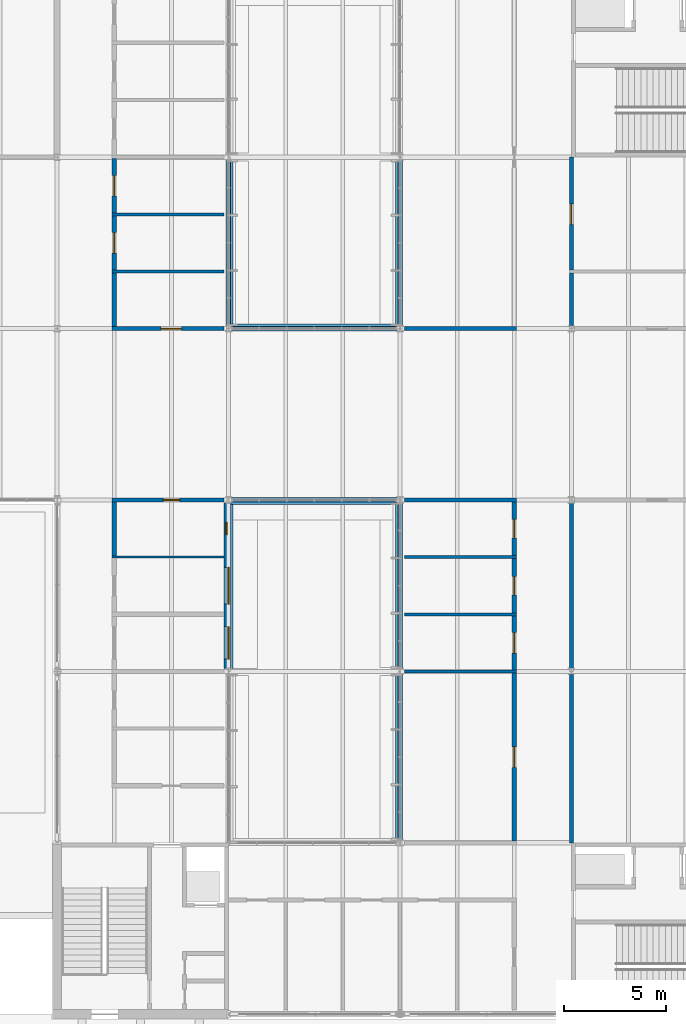
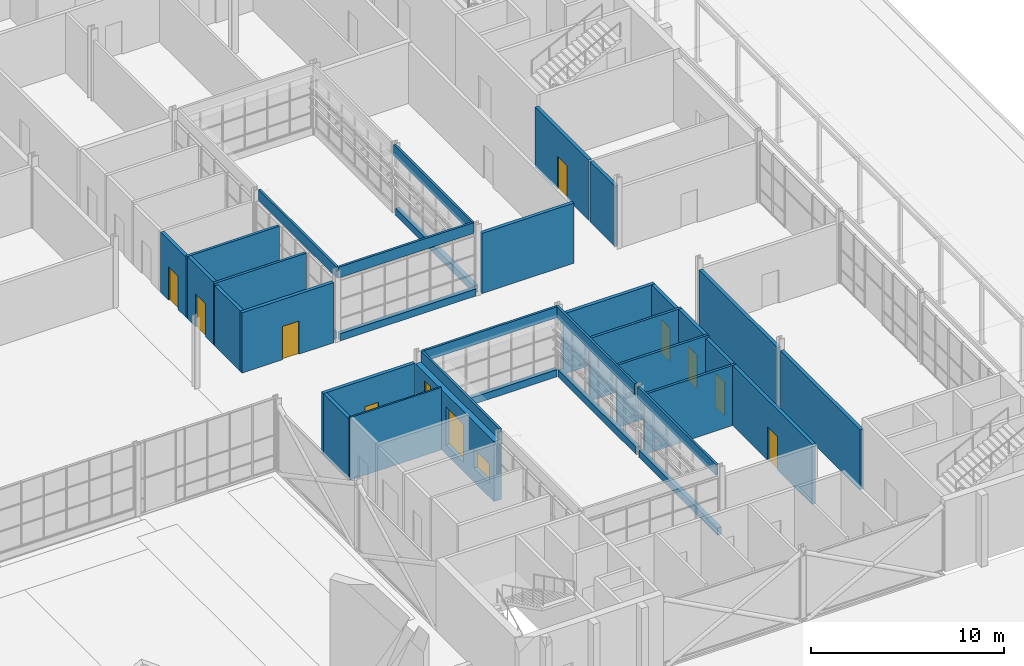
# One storey, part 89 of 116: 36 walls, 9 doors, 3 windows, 12 openings.
"""IFC4 building model written with IfcOpenShell, lengths in metres."""

from ifc_helpers import new_model, si_unit, direction, frame, frame_2d, origin, place, context, subcontext, project, spatial, rectangle, extrude, material, layer, layer_set, type_object, element, fill, save


model = new_model("IFC4")

# Units and contexts
model_context = context("Model", 3, precision=1e-05, world=origin(), true_north=direction((0.0, 1.0)))
body_context = subcontext(model_context, "Body", "Model", "MODEL_VIEW")
ifc_project = project(units=[si_unit("LENGTHUNIT", "METRE"), si_unit("AREAUNIT", "SQUARE_METRE"), si_unit("VOLUMEUNIT", "CUBIC_METRE"), si_unit("PLANEANGLEUNIT", "RADIAN"), si_unit("MASSUNIT", "GRAM", prefix="KILO")], contexts=[model_context])

# Site, building, storey
site_placement = place(None, origin())
site = spatial("IfcSite", under=ifc_project, at=site_placement, CompositionType="ELEMENT")
building_placement = place(site_placement, origin())
building = spatial("IfcBuilding", under=site, at=building_placement, Name="Ardhachandra Cancer Care Centre", CompositionType="ELEMENT")
storey_placement = place(building_placement, origin())
storey = spatial("IfcBuildingStorey", under=building, at=storey_placement, Name="L00", CompositionType="ELEMENT", Elevation=0.0)

# Walls
ifc_material_1 = material(Name="Precast Concrete M30 fascia panel with granite bands", Category="masonry")
ifc_layer_1 = layer(ifc_material_1, 0.1298828125)
ifc_layer_set_1 = layer_set([ifc_layer_1], Name="Precast Concrete M30 fascia panel with granite bands")
wall_type_1 = type_object("IfcWallType", Name="Banded edge beam fascia 130", PredefinedType="SOLIDWALL", material=ifc_layer_set_1)
wall_1_placement = place(storey_placement, frame((120.159912109375, 46.35009765625, 3.820068359375), z_axis=(0.0, 0.0, 1.0), x_axis=(0.0, 1.0, 0.0)))
element("IfcWall", 1, at=wall_1_placement, inside=storey, type_object=wall_type_1, Name="E/fascia/L00/e/0120000_0046200", PredefinedType="SOLIDWALL", context=body_context, shape_type="SweptSolid", body=[
    extrude(rectangle(XDim=8.099853515625, YDim=0.1298828125, at=frame_2d((4.0498046875, 0.0))), origin(), (0.0, 0.0, 1.0), 0.679931640625),
])
for number, where, z_axis, x_axis, name in (
    (2, (120.159912109375, 63.14990234375, 3.820068359375), (0.0, 0.0, 1.0), (0.0, 1.0, 0.0), "E/fascia/L00/e/0120000_0063000"),
    (3, (120.14990234375, 63.159912109375, 3.820068359375), (0.0, 0.0, 1.0), (1.0, 0.0, 0.0), "E/fascia/L00/n/0120000_0063000"),
    (4, (120.14990234375, 54.43994140625, 3.820068359375), (0.0, 0.0, 1.0), (1.0, 0.0, 0.0), "E/fascia/L00/s/0120000_0054600"),
    (5, (128.239990234375, 37.949951171875, 3.820068359375), (0.0, 0.0, 1.0), (0.0, 1.0, 0.0), "E/fascia/L00/w/0128400_0037800"),
):
    element("IfcWall", number, at=place(storey_placement, frame(where, z_axis=z_axis, x_axis=x_axis)), inside=storey, type_object=wall_type_1, Name=name, PredefinedType="SOLIDWALL", context=body_context, shape_type="SweptSolid", body=[
        extrude(rectangle(XDim=8.10009765625, YDim=0.1298828125, at=frame_2d((4.050048828125, 0.0))), origin(), (0.0, 0.0, 1.0), 0.679931640625),
    ])
wall_2_placement = place(storey_placement, frame((128.239990234375, 46.35009765625, 3.820068359375), z_axis=(0.0, 0.0, 1.0), x_axis=(0.0, 1.0, 0.0)))
element("IfcWall", 6, at=wall_2_placement, inside=storey, type_object=wall_type_1, Name="E/fascia/L00/w/0128400_0046200", PredefinedType="SOLIDWALL", context=body_context, shape_type="SweptSolid", body=[
    extrude(rectangle(XDim=8.099853515625, YDim=0.1298828125, at=frame_2d((4.0498046875, 0.0))), origin(), (0.0, 0.0, 1.0), 0.679931640625),
])
wall_3_placement = place(storey_placement, frame((128.239990234375, 63.14990234375, 3.820068359375), z_axis=(0.0, 0.0, 1.0), x_axis=(0.0, 1.0, 0.0)))
element("IfcWall", 7, at=wall_3_placement, inside=storey, type_object=wall_type_1, Name="E/fascia/L00/w/0128400_0063000", PredefinedType="SOLIDWALL", context=body_context, shape_type="SweptSolid", body=[
    extrude(rectangle(XDim=8.10009765625, YDim=0.1298828125, at=frame_2d((4.050048828125, 0.0))), origin(), (0.0, 0.0, 1.0), 0.679931640625),
])

# Wall, openings, windows
ifc_material_2 = material(Name="Brick masonry (clay brick, cement mortar) with mineral wool cavity insulation", Category="masonry")
ifc_layer_2 = layer(ifc_material_2, 0.449951171875)
ifc_layer_set_2 = layer_set([ifc_layer_2], Name="Brick masonry (clay brick, cement mortar) with mineral wool cavity insulation")
wall_type_2 = type_object("IfcWallType", Name="Brick wall 450", PredefinedType="SOLIDWALL", material=ifc_layer_set_2)
wall_4_placement = place(storey_placement, frame((120.0, 46.35009765625, 0.0), z_axis=(0.0, 0.0, 1.0), x_axis=(0.0, 1.0, 0.0)))
wall_4 = element("IfcWall", 8, at=wall_4_placement, inside=storey, type_object=wall_type_2, Name="E/wall/L00/e/0120000_0046200", PredefinedType="SOLIDWALL", context=body_context, shape_type="SweptSolid", body=[
    extrude(rectangle(XDim=8.099853515625, YDim=0.449951171875, at=frame_2d((4.0498046875, 0.0))), origin(), (0.0, 0.0, 1.0), 3.800048828125),
])
opening_1_placement = place(wall_4_placement, frame((0.449951171875, 0.0, 0.89990234375)))
opening_1 = element("IfcOpeningElement", 9, at=opening_1_placement, cuts=wall_4, Name="Opening W5", PredefinedType="OPENING", context=body_context, shape_type="SweptSolid", body=[
    extrude(rectangle(XDim=1.60009765625, YDim=1.199951171875, at=frame_2d((0.800048828125, 0.60009765625))), frame((0.0, 0.23486328125, 0.0), z_axis=(0.0, -1.0, 0.0), x_axis=(1.0, 0.0, 0.0)), (0.0, 0.0, 1.0), 0.469970703125),
])
opening_2_placement = place(wall_4_placement, frame((3.14990234375, 0.0, 0.60009765625)))
opening_2 = element("IfcOpeningElement", 10, at=opening_2_placement, cuts=wall_4, Name="Opening W2", PredefinedType="OPENING", context=body_context, shape_type="SweptSolid", body=[
    extrude(rectangle(XDim=1.800048828125, YDim=2.39990234375, at=frame_2d((0.89990234375, 1.199951171875))), frame((0.0, 0.23486328125, 0.0), z_axis=(0.0, -1.0, 0.0), x_axis=(1.0, 0.0, 0.0)), (0.0, 0.0, 1.0), 0.469970703125),
])
opening_3_placement = place(wall_4_placement, frame((6.550048828125, 0.0, 2.10009765625)))
opening_3 = element("IfcOpeningElement", 11, at=opening_3_placement, cuts=wall_4, Name="Opening W4", PredefinedType="OPENING", context=body_context, shape_type="SweptSolid", body=[
    extrude(rectangle(XDim=0.60009765625, YDim=1.199951171875, at=frame_2d((0.300048828125, 0.60009765625))), frame((0.0, 0.23486328125, 0.0), z_axis=(0.0, -1.0, 0.0), x_axis=(1.0, 0.0, 0.0)), (0.0, 0.0, 1.0), 0.469970703125),
])
ifc_material_3 = material(Name="Aluminium frame with double-glazed unit", Category="aluminium")
window_type_1 = type_object("IfcWindowType", Name="Plant louvre window 1600 x 1200", PartitioningType="SINGLE_PANEL", PredefinedType="WINDOW", material=ifc_material_3)
window_1_placement = place(opening_1_placement, origin())
window_1 = element("IfcWindow", 12, at=window_1_placement, inside=storey, type_object=window_type_1, Name="W5 window L00 e/0120000_0046200 1", OverallHeight=1.199951171875, OverallWidth=1.60009765625, PartitioningType="SINGLE_PANEL", PredefinedType="WINDOW", context=body_context, shape_type="SweptSolid", body=[
    extrude(rectangle(XDim=1.60009765625, YDim=1.199951171875, at=frame_2d((0.800048828125, 0.60009765625))), frame((0.0, 0.030029296875, 0.0), z_axis=(0.0, -1.0, 0.0), x_axis=(1.0, 0.0, 0.0)), (0.0, 0.0, 1.0), 0.06005859375),
])
fill(opening_1, window_1)
ifc_material_4 = material(Name="Aluminium frame with double-glazed unit", Category="aluminium")
window_type_2 = type_object("IfcWindowType", Name="Slot window 600 x 1200", PartitioningType="SINGLE_PANEL", PredefinedType="WINDOW", material=ifc_material_4)
window_2_placement = place(opening_3_placement, origin())
window_2 = element("IfcWindow", 13, at=window_2_placement, inside=storey, type_object=window_type_2, Name="W4 window L00 e/0120000_0046200 3", OverallHeight=1.199951171875, OverallWidth=0.60009765625, PartitioningType="SINGLE_PANEL", PredefinedType="WINDOW", context=body_context, shape_type="SweptSolid", body=[
    extrude(rectangle(XDim=0.60009765625, YDim=1.199951171875, at=frame_2d((0.300048828125, 0.60009765625))), frame((0.0, 0.135009765625, 0.0), z_axis=(0.0, -1.0, 0.0), x_axis=(1.0, 0.0, 0.0)), (0.0, 0.0, 1.0), 0.06005859375),
])
fill(opening_3, window_2)
ifc_material_5 = material(Name="Aluminium frame with double-glazed unit", Category="aluminium")
window_type_3 = type_object("IfcWindowType", Name="Steel-framed window 1800 x 2400", PartitioningType="SINGLE_PANEL", PredefinedType="WINDOW", material=ifc_material_5)
window_3_placement = place(opening_2_placement, origin())
window_3 = element("IfcWindow", 14, at=window_3_placement, inside=storey, type_object=window_type_3, Name="W2 window L00 e/0120000_0046200 2", OverallHeight=2.39990234375, OverallWidth=1.800048828125, PartitioningType="SINGLE_PANEL", PredefinedType="WINDOW", context=body_context, shape_type="SweptSolid", body=[
    extrude(rectangle(XDim=1.800048828125, YDim=2.39990234375, at=frame_2d((0.89990234375, 1.199951171875))), frame((0.0, 0.030029296875, 0.0), z_axis=(0.0, -1.0, 0.0), x_axis=(1.0, 0.0, 0.0)), (0.0, 0.0, 1.0), 0.06005859375),
])
fill(opening_2, window_3)

# Wall, opening, door
ifc_material_6 = material(Name="Gypsum board corridor partition on steel studs", Category="steel")
ifc_layer_3 = layer(ifc_material_6, 0.199951171875)
ifc_layer_set_3 = layer_set([ifc_layer_3], Name="Gypsum board corridor partition on steel studs")
wall_type_3 = type_object("IfcWallType", Name="CORRIDOR WALL 200", PredefinedType="PARTITIONING", material=ifc_layer_set_3)
wall_5_placement = place(storey_placement, frame((114.300048828125, 54.60009765625, 0.0), z_axis=(0.0, 0.0, 1.0), x_axis=(1.0, 0.0, 0.0)))
wall_5 = element("IfcWall", 15, at=wall_5_placement, inside=storey, type_object=wall_type_3, Name="R/wall/L00/h0054600_0114300", PredefinedType="PARTITIONING", context=body_context, shape_type="SweptSolid", body=[
    extrude(rectangle(XDim=5.474853515625, YDim=0.199951171875, at=frame_2d((2.7373046875, 0.0))), origin(), (0.0, 0.0, 1.0), 3.800048828125),
])
opening_4_placement = place(wall_5_placement, frame((2.5, 0.0, 0.0)))
opening_4 = element("IfcOpeningElement", 16, at=opening_4_placement, cuts=wall_5, Name="Opening L00-0013", PredefinedType="OPENING", context=body_context, shape_type="SweptSolid", body=[
    extrude(rectangle(XDim=0.800048828125, YDim=2.10009765625, at=frame_2d((0.39990234375, 1.050048828125))), frame((0.0, 0.10986328125, 0.0), z_axis=(0.0, -1.0, 0.0), x_axis=(1.0, 0.0, 0.0)), (0.0, 0.0, 1.0), 0.219970703125),
])
ifc_material_7 = material(Name="Timber flush fire door", Category="wood")
door_type_1 = type_object("IfcDoorType", Name="STORE DOOR 800x2100 FD30S", OperationType="NOTDEFINED", PredefinedType="DOOR", material=ifc_material_7)
door_1_placement = place(opening_4_placement, origin())
door_1 = element("IfcDoor", 17, at=door_1_placement, inside=storey, type_object=door_type_1, Name="Door L00-0013", OperationType="SINGLE_SWING_LEFT", OverallHeight=2.10009765625, OverallWidth=0.800048828125, PredefinedType="DOOR", context=body_context, shape_type="SweptSolid", body=[
    extrude(rectangle(XDim=0.800048828125, YDim=2.10009765625, at=frame_2d((0.39990234375, 1.050048828125))), frame((0.0, 0.02490234375, 0.0), z_axis=(0.0, -1.0, 0.0), x_axis=(1.0, 0.0, 0.0)), (0.0, 0.0, 1.0), 0.050048828125),
])
fill(opening_4, door_1)

# Wall
wall_6_placement = place(storey_placement, frame((128.625, 54.60009765625, 0.0), z_axis=(0.0, 0.0, 1.0), x_axis=(1.0, 0.0, 0.0)))
element("IfcWall", 18, at=wall_6_placement, inside=storey, type_object=wall_type_3, Name="R/wall/L00/h0054600_0128625", PredefinedType="PARTITIONING", context=body_context, shape_type="SweptSolid", body=[
    extrude(rectangle(XDim=5.47509765625, YDim=0.199951171875, at=frame_2d((2.737548828125, 0.0))), origin(), (0.0, 0.0, 1.0), 3.800048828125),
])

# Wall, opening, door
wall_7_placement = place(storey_placement, frame((114.300048828125, 63.0, 0.0), z_axis=(0.0, 0.0, 1.0), x_axis=(1.0, 0.0, 0.0)))
wall_7 = element("IfcWall", 19, at=wall_7_placement, inside=storey, type_object=wall_type_3, Name="R/wall/L00/h0063000_0114300", PredefinedType="PARTITIONING", context=body_context, shape_type="SweptSolid", body=[
    extrude(rectangle(XDim=5.474853515625, YDim=0.199951171875, at=frame_2d((2.7373046875, 0.0))), origin(), (0.0, 0.0, 1.0), 3.800048828125),
])
opening_5_placement = place(wall_7_placement, frame((2.39990234375, 0.0, 0.0)))
opening_5 = element("IfcOpeningElement", 20, at=opening_5_placement, cuts=wall_7, Name="Opening L00-0015", PredefinedType="OPENING", context=body_context, shape_type="SweptSolid", body=[
    extrude(rectangle(XDim=1.0, YDim=2.10009765625, at=frame_2d((0.5, 1.050048828125))), frame((0.0, 0.10986328125, 0.0), z_axis=(0.0, -1.0, 0.0), x_axis=(1.0, 0.0, 0.0)), (0.0, 0.0, 1.0), 0.219970703125),
])
ifc_material_8 = material(Name="Timber fire door with smoke seals", Category="wood")
door_type_2 = type_object("IfcDoorType", Name="FIRE DOOR SINGLE 1000x2100 FD30S", OperationType="NOTDEFINED", PredefinedType="DOOR", material=ifc_material_8)
door_2_placement = place(opening_5_placement, origin())
door_2 = element("IfcDoor", 21, at=door_2_placement, inside=storey, type_object=door_type_2, Name="Door L00-0015", OperationType="SINGLE_SWING_RIGHT", OverallHeight=2.10009765625, OverallWidth=1.0, PredefinedType="DOOR", context=body_context, shape_type="SweptSolid", body=[
    extrude(rectangle(XDim=1.0, YDim=2.10009765625, at=frame_2d((0.5, 1.050048828125))), frame((0.0, 0.02490234375, 0.0), z_axis=(0.0, -1.0, 0.0), x_axis=(1.0, 0.0, 0.0)), (0.0, 0.0, 1.0), 0.050048828125),
])
fill(opening_5, door_2)

# Walls
wall_8_placement = place(storey_placement, frame((128.625, 63.0, 0.0), z_axis=(0.0, 0.0, 1.0), x_axis=(1.0, 0.0, 0.0)))
element("IfcWall", 22, at=wall_8_placement, inside=storey, type_object=wall_type_3, Name="R/wall/L00/h0063000_0128625", PredefinedType="PARTITIONING", context=body_context, shape_type="SweptSolid", body=[
    extrude(rectangle(XDim=5.47509765625, YDim=0.199951171875, at=frame_2d((2.737548828125, 0.0))), origin(), (0.0, 0.0, 1.0), 3.800048828125),
])
wall_9_placement = place(storey_placement, frame((114.39990234375, 51.85009765625, 0.0), z_axis=(0.0, 0.0, 1.0), x_axis=(0.0, 1.0, 0.0)))
element("IfcWall", 23, at=wall_9_placement, inside=storey, type_object=wall_type_3, Name="R/wall/L00/v0114400_0051850", PredefinedType="PARTITIONING", context=body_context, shape_type="SweptSolid", body=[
    extrude(rectangle(XDim=2.64990234375, YDim=0.199951171875, at=frame_2d((1.324951171875, 0.0))), origin(), (0.0, 0.0, 1.0), 3.800048828125),
])
wall_10_placement = place(storey_placement, frame((114.39990234375, 63.10009765625, 0.0), z_axis=(0.0, 0.0, 1.0), x_axis=(0.0, 1.0, 0.0)))
element("IfcWall", 24, at=wall_10_placement, inside=storey, type_object=wall_type_3, Name="R/wall/L00/v0114400_0063100", PredefinedType="PARTITIONING", context=body_context, shape_type="SweptSolid", body=[
    extrude(rectangle(XDim=2.625, YDim=0.199951171875, at=frame_2d((1.3125, 0.0))), origin(), (0.0, 0.0, 1.0), 3.800048828125),
])

# Wall, opening, door
wall_11_placement = place(storey_placement, frame((114.39990234375, 65.875, 0.0), z_axis=(0.0, 0.0, 1.0), x_axis=(0.0, 1.0, 0.0)))
wall_11 = element("IfcWall", 25, at=wall_11_placement, inside=storey, type_object=wall_type_3, Name="R/wall/L00/v0114400_0065875", PredefinedType="PARTITIONING", context=body_context, shape_type="SweptSolid", body=[
    extrude(rectangle(XDim=2.64990234375, YDim=0.199951171875, at=frame_2d((1.324951171875, 0.0))), origin(), (0.0, 0.0, 1.0), 3.949951171875),
])
opening_6_placement = place(wall_11_placement, frame((0.824951171875, 0.0, 0.0)))
opening_6 = element("IfcOpeningElement", 26, at=opening_6_placement, cuts=wall_11, Name="Opening L00-0077", PredefinedType="OPENING", context=body_context, shape_type="SweptSolid", body=[
    extrude(rectangle(XDim=1.0, YDim=2.10009765625, at=frame_2d((0.5, 1.050048828125))), frame((0.0, 0.10986328125, 0.0), z_axis=(0.0, -1.0, 0.0), x_axis=(1.0, 0.0, 0.0)), (0.0, 0.0, 1.0), 0.219970703125),
])
door_3_placement = place(opening_6_placement, origin())
door_3 = element("IfcDoor", 27, at=door_3_placement, inside=storey, type_object=door_type_2, Name="Door L00-0077", OperationType="SINGLE_SWING_RIGHT", OverallHeight=2.10009765625, OverallWidth=1.0, PredefinedType="DOOR", context=body_context, shape_type="SweptSolid", body=[
    extrude(rectangle(XDim=1.0, YDim=2.10009765625, at=frame_2d((0.5, 1.050048828125))), frame((0.0, 0.02490234375, 0.0), z_axis=(0.0, -1.0, 0.0), x_axis=(1.0, 0.0, 0.0)), (0.0, 0.0, 1.0), 0.050048828125),
])
fill(opening_6, door_3)

wall_12_placement = place(storey_placement, frame((114.39990234375, 68.675048828125, 0.0), z_axis=(0.0, 0.0, 1.0), x_axis=(0.0, 1.0, 0.0)))
wall_12 = element("IfcWall", 28, at=wall_12_placement, inside=storey, type_object=wall_type_3, Name="R/wall/L00/v0114400_0068675", PredefinedType="PARTITIONING", context=body_context, shape_type="SweptSolid", body=[
    extrude(rectangle(XDim=2.64990234375, YDim=0.199951171875, at=frame_2d((1.324951171875, 0.0))), origin(), (0.0, 0.0, 1.0), 3.800048828125),
])
opening_7_placement = place(wall_12_placement, frame((0.824951171875, 0.0, 0.0)))
opening_7 = element("IfcOpeningElement", 29, at=opening_7_placement, cuts=wall_12, Name="Opening L00-0078", PredefinedType="OPENING", context=body_context, shape_type="SweptSolid", body=[
    extrude(rectangle(XDim=1.0, YDim=2.10009765625, at=frame_2d((0.5, 1.050048828125))), frame((0.0, 0.10986328125, 0.0), z_axis=(0.0, -1.0, 0.0), x_axis=(1.0, 0.0, 0.0)), (0.0, 0.0, 1.0), 0.219970703125),
])
door_4_placement = place(opening_7_placement, origin())
door_4 = element("IfcDoor", 30, at=door_4_placement, inside=storey, type_object=door_type_2, Name="Door L00-0078", OperationType="SINGLE_SWING_RIGHT", OverallHeight=2.10009765625, OverallWidth=1.0, PredefinedType="DOOR", context=body_context, shape_type="SweptSolid", body=[
    extrude(rectangle(XDim=1.0, YDim=2.10009765625, at=frame_2d((0.5, 1.050048828125))), frame((0.0, 0.02490234375, 0.0), z_axis=(0.0, -1.0, 0.0), x_axis=(1.0, 0.0, 0.0)), (0.0, 0.0, 1.0), 0.050048828125),
])
fill(opening_7, door_4)

wall_13_placement = place(storey_placement, frame((134.0, 37.89990234375, 0.0), z_axis=(0.0, 0.0, 1.0), x_axis=(0.0, 1.0, 0.0)))
wall_13 = element("IfcWall", 31, at=wall_13_placement, inside=storey, type_object=wall_type_3, Name="R/wall/L00/v0134000_0037900", PredefinedType="PARTITIONING", context=body_context, shape_type="SweptSolid", body=[
    extrude(rectangle(XDim=8.22509765625, YDim=0.199951171875, at=frame_2d((4.112548828125, 0.0))), origin(), (0.0, 0.0, 1.0), 3.800048828125),
])
opening_8_placement = place(wall_13_placement, frame((3.60009765625, 0.0, 0.0)))
opening_8 = element("IfcOpeningElement", 32, at=opening_8_placement, cuts=wall_13, Name="Opening L00-0084", PredefinedType="OPENING", context=body_context, shape_type="SweptSolid", body=[
    extrude(rectangle(XDim=1.0, YDim=2.10009765625, at=frame_2d((0.5, 1.050048828125))), frame((0.0, 0.10986328125, 0.0), z_axis=(0.0, -1.0, 0.0), x_axis=(1.0, 0.0, 0.0)), (0.0, 0.0, 1.0), 0.219970703125),
])
door_5_placement = place(opening_8_placement, origin())
door_5 = element("IfcDoor", 33, at=door_5_placement, inside=storey, type_object=door_type_2, Name="Door L00-0084", OperationType="SINGLE_SWING_RIGHT", OverallHeight=2.10009765625, OverallWidth=1.0, PredefinedType="DOOR", context=body_context, shape_type="SweptSolid", body=[
    extrude(rectangle(XDim=1.0, YDim=2.10009765625, at=frame_2d((0.5, 1.050048828125))), frame((0.0, 0.02490234375, 0.0), z_axis=(0.0, -1.0, 0.0), x_axis=(1.0, 0.0, 0.0)), (0.0, 0.0, 1.0), 0.050048828125),
])
fill(opening_8, door_5)

wall_14_placement = place(storey_placement, frame((134.0, 46.27490234375, 0.0), z_axis=(0.0, 0.0, 1.0), x_axis=(0.0, 1.0, 0.0)))
wall_14 = element("IfcWall", 34, at=wall_14_placement, inside=storey, type_object=wall_type_3, Name="R/wall/L00/v0134000_0046275", PredefinedType="PARTITIONING", context=body_context, shape_type="SweptSolid", body=[
    extrude(rectangle(XDim=2.650146484375, YDim=0.199951171875, at=frame_2d((1.3251953125, 0.0))), origin(), (0.0, 0.0, 1.0), 3.800048828125),
])
opening_9_placement = place(wall_14_placement, frame((0.824951171875, 0.0, 0.0)))
opening_9 = element("IfcOpeningElement", 35, at=opening_9_placement, cuts=wall_14, Name="Opening L00-0085", PredefinedType="OPENING", context=body_context, shape_type="SweptSolid", body=[
    extrude(rectangle(XDim=1.0, YDim=2.10009765625, at=frame_2d((0.5, 1.050048828125))), frame((0.0, 0.10986328125, 0.0), z_axis=(0.0, -1.0, 0.0), x_axis=(1.0, 0.0, 0.0)), (0.0, 0.0, 1.0), 0.219970703125),
])
door_6_placement = place(opening_9_placement, origin())
door_6 = element("IfcDoor", 36, at=door_6_placement, inside=storey, type_object=door_type_2, Name="Door L00-0085", OperationType="SINGLE_SWING_RIGHT", OverallHeight=2.10009765625, OverallWidth=1.0, PredefinedType="DOOR", context=body_context, shape_type="SweptSolid", body=[
    extrude(rectangle(XDim=1.0, YDim=2.10009765625, at=frame_2d((0.5, 1.050048828125))), frame((0.0, 0.02490234375, 0.0), z_axis=(0.0, -1.0, 0.0), x_axis=(1.0, 0.0, 0.0)), (0.0, 0.0, 1.0), 0.050048828125),
])
fill(opening_9, door_6)

wall_15_placement = place(storey_placement, frame((134.0, 49.074951171875, 0.0), z_axis=(0.0, 0.0, 1.0), x_axis=(0.0, 1.0, 0.0)))
wall_15 = element("IfcWall", 37, at=wall_15_placement, inside=storey, type_object=wall_type_3, Name="R/wall/L00/v0134000_0049075", PredefinedType="PARTITIONING", context=body_context, shape_type="SweptSolid", body=[
    extrude(rectangle(XDim=2.650146484375, YDim=0.199951171875, at=frame_2d((1.3251953125, 0.0))), origin(), (0.0, 0.0, 1.0), 3.949951171875),
])
opening_10_placement = place(wall_15_placement, frame((0.875, 0.0, 0.0)))
opening_10 = element("IfcOpeningElement", 38, at=opening_10_placement, cuts=wall_15, Name="Opening L00-0086", PredefinedType="OPENING", context=body_context, shape_type="SweptSolid", body=[
    extrude(rectangle(XDim=0.89990234375, YDim=2.10009765625, at=frame_2d((0.449951171875, 1.050048828125))), frame((0.0, 0.10986328125, 0.0), z_axis=(0.0, -1.0, 0.0), x_axis=(1.0, 0.0, 0.0)), (0.0, 0.0, 1.0), 0.219970703125),
])
ifc_material_9 = material(Name="Timber fire door with smoke seals", Category="wood")
door_type_3 = type_object("IfcDoorType", Name="FIRE DOOR WC 900x2100 FD30S", OperationType="NOTDEFINED", PredefinedType="DOOR", material=ifc_material_9)
door_7_placement = place(opening_10_placement, origin())
door_7 = element("IfcDoor", 39, at=door_7_placement, inside=storey, type_object=door_type_3, Name="Door L00-0086", OperationType="SINGLE_SWING_RIGHT", OverallHeight=2.10009765625, OverallWidth=0.89990234375, PredefinedType="DOOR", context=body_context, shape_type="SweptSolid", body=[
    extrude(rectangle(XDim=0.89990234375, YDim=2.10009765625, at=frame_2d((0.449951171875, 1.050048828125))), frame((0.0, 0.02490234375, 0.0), z_axis=(0.0, -1.0, 0.0), x_axis=(1.0, 0.0, 0.0)), (0.0, 0.0, 1.0), 0.050048828125),
])
fill(opening_10, door_7)

wall_16_placement = place(storey_placement, frame((134.0, 51.875, 0.0), z_axis=(0.0, 0.0, 1.0), x_axis=(0.0, 1.0, 0.0)))
wall_16 = element("IfcWall", 40, at=wall_16_placement, inside=storey, type_object=wall_type_3, Name="R/wall/L00/v0134000_0051875", PredefinedType="PARTITIONING", context=body_context, shape_type="SweptSolid", body=[
    extrude(rectangle(XDim=2.625, YDim=0.199951171875, at=frame_2d((1.3125, 0.0))), origin(), (0.0, 0.0, 1.0), 3.800048828125),
])
opening_11_placement = place(wall_16_placement, frame((0.875, 0.0, 0.0)))
opening_11 = element("IfcOpeningElement", 41, at=opening_11_placement, cuts=wall_16, Name="Opening L00-0087", PredefinedType="OPENING", context=body_context, shape_type="SweptSolid", body=[
    extrude(rectangle(XDim=0.89990234375, YDim=2.10009765625, at=frame_2d((0.449951171875, 1.050048828125))), frame((0.0, 0.10986328125, 0.0), z_axis=(0.0, -1.0, 0.0), x_axis=(1.0, 0.0, 0.0)), (0.0, 0.0, 1.0), 0.219970703125),
])
door_8_placement = place(opening_11_placement, origin())
door_8 = element("IfcDoor", 42, at=door_8_placement, inside=storey, type_object=door_type_3, Name="Door L00-0087", OperationType="SINGLE_SWING_RIGHT", OverallHeight=2.10009765625, OverallWidth=0.89990234375, PredefinedType="DOOR", context=body_context, shape_type="SweptSolid", body=[
    extrude(rectangle(XDim=0.89990234375, YDim=2.10009765625, at=frame_2d((0.449951171875, 1.050048828125))), frame((0.0, 0.02490234375, 0.0), z_axis=(0.0, -1.0, 0.0), x_axis=(1.0, 0.0, 0.0)), (0.0, 0.0, 1.0), 0.050048828125),
])
fill(opening_11, door_8)

# Walls
wall_17_placement = place(storey_placement, frame((136.800048828125, 37.800048828125, 0.0), z_axis=(0.0, 0.0, 1.0), x_axis=(0.0, 1.0, 0.0)))
element("IfcWall", 43, at=wall_17_placement, inside=storey, type_object=wall_type_3, Name="R/wall/L00/v0136800_0037800", PredefinedType="PARTITIONING", context=body_context, shape_type="SweptSolid", body=[
    extrude(rectangle(XDim=8.25, YDim=0.199951171875, at=frame_2d((4.125, 0.0))), origin(), (0.0, 0.0, 1.0), 3.800048828125),
])
wall_18_placement = place(storey_placement, frame((136.800048828125, 46.35009765625, 0.0), z_axis=(0.0, 0.0, 1.0), x_axis=(0.0, 1.0, 0.0)))
element("IfcWall", 44, at=wall_18_placement, inside=storey, type_object=wall_type_3, Name="R/wall/L00/v0136800_0046350", PredefinedType="PARTITIONING", context=body_context, shape_type="SweptSolid", body=[
    extrude(rectangle(XDim=8.099853515625, YDim=0.199951171875, at=frame_2d((4.0498046875, 0.0))), origin(), (0.0, 0.0, 1.0), 3.800048828125),
])
wall_19_placement = place(storey_placement, frame((136.800048828125, 63.14990234375, 0.0), z_axis=(0.0, 0.0, 1.0), x_axis=(0.0, 1.0, 0.0)))
element("IfcWall", 45, at=wall_19_placement, inside=storey, type_object=wall_type_3, Name="R/wall/L00/v0136800_0063150", PredefinedType="PARTITIONING", context=body_context, shape_type="SweptSolid", body=[
    extrude(rectangle(XDim=2.5751953125, YDim=0.199951171875, at=frame_2d((1.28759765625, 0.0))), origin(), (0.0, 0.0, 1.0), 3.800048828125),
])

# Wall, opening, door
ifc_material_10 = material(Name="Gypsum board corridor partition on steel studs", Category="steel")
ifc_layer_4 = layer(ifc_material_10, 0.199951171875)
ifc_layer_set_4 = layer_set([ifc_layer_4], Name="Gypsum board corridor partition on steel studs")
wall_type_4 = type_object("IfcWallType", Name="CORRIDOR WALL 200 EI 120", PredefinedType="PARTITIONING", material=ifc_layer_set_4)
wall_20_placement = place(storey_placement, frame((136.800048828125, 65.875, 0.0), z_axis=(0.0, 0.0, 1.0), x_axis=(0.0, 1.0, 0.0)))
wall_20 = element("IfcWall", 46, at=wall_20_placement, inside=storey, type_object=wall_type_4, Name="R/wall/L00/v0136800_0065875", PredefinedType="PARTITIONING", context=body_context, shape_type="SweptSolid", body=[
    extrude(rectangle(XDim=5.52490234375, YDim=0.199951171875, at=frame_2d((2.762451171875, 0.0))), origin(), (0.0, 0.0, 1.0), 3.800048828125),
])
opening_12_placement = place(wall_20_placement, frame((2.22509765625, 0.0, 0.0)))
opening_12 = element("IfcOpeningElement", 47, at=opening_12_placement, cuts=wall_20, Name="Opening L00-0090", PredefinedType="OPENING", context=body_context, shape_type="SweptSolid", body=[
    extrude(rectangle(XDim=1.0, YDim=2.10009765625, at=frame_2d((0.5, 1.050048828125))), frame((0.0, 0.10986328125, 0.0), z_axis=(0.0, -1.0, 0.0), x_axis=(1.0, 0.0, 0.0)), (0.0, 0.0, 1.0), 0.219970703125),
])
ifc_material_11 = material(Name="Steel fire door", Category="steel")
door_type_4 = type_object("IfcDoorType", Name="FIRE DOOR SINGLE 1000x2100 FD60", OperationType="NOTDEFINED", PredefinedType="DOOR", material=ifc_material_11)
door_9_placement = place(opening_12_placement, origin())
door_9 = element("IfcDoor", 48, at=door_9_placement, inside=storey, type_object=door_type_4, Name="Door L00-0090", OperationType="SINGLE_SWING_RIGHT", OverallHeight=2.10009765625, OverallWidth=1.0, PredefinedType="DOOR", context=body_context, shape_type="SweptSolid", body=[
    extrude(rectangle(XDim=1.0, YDim=2.10009765625, at=frame_2d((0.5, 1.050048828125))), frame((0.0, 0.02490234375, 0.0), z_axis=(0.0, -1.0, 0.0), x_axis=(1.0, 0.0, 0.0)), (0.0, 0.0, 1.0), 0.050048828125),
])
fill(opening_12, door_9)

# Walls
ifc_material_12 = material(Name="Gypsum board partition on steel studs", Category="steel")
ifc_layer_5 = layer(ifc_material_12, 0.14990234375)
ifc_layer_set_5 = layer_set([ifc_layer_5], Name="Gypsum board partition on steel studs")
wall_type_5 = type_object("IfcWallType", Name="PARTITION 150", PredefinedType="PARTITIONING", material=ifc_layer_set_5)
wall_21_placement = place(storey_placement, frame((128.625, 46.199951171875, 0.0), z_axis=(0.0, 0.0, 1.0), x_axis=(1.0, 0.0, 0.0)))
element("IfcWall", 49, at=wall_21_placement, inside=storey, type_object=wall_type_5, Name="R/wall/L00/h0046200_0128625", PredefinedType="PARTITIONING", context=body_context, shape_type="SweptSolid", body=[
    extrude(rectangle(XDim=5.47509765625, YDim=0.14990234375, at=frame_2d((2.737548828125, 0.0))), origin(), (0.0, 0.0, 1.0), 3.800048828125),
])
for number, where, z_axis, x_axis, name in (
    (50, (114.300048828125, 65.800048828125, 0.0), (0.0, 0.0, 1.0), (1.0, 0.0, 0.0), "R/wall/L00/h0065800_0114300"),
    (51, (114.300048828125, 68.60009765625, 0.0), (0.0, 0.0, 1.0), (1.0, 0.0, 0.0), "R/wall/L00/h0068600_0114300"),
):
    element("IfcWall", number, at=place(storey_placement, frame(where, z_axis=z_axis, x_axis=x_axis)), inside=storey, type_object=wall_type_5, Name=name, PredefinedType="PARTITIONING", context=body_context, shape_type="SweptSolid", body=[
        extrude(rectangle(XDim=5.474853515625, YDim=0.14990234375, at=frame_2d((2.7373046875, 0.0))), origin(), (0.0, 0.0, 1.0), 3.949951171875),
    ])
ifc_material_13 = material(Name="Concrete block masonry", Category="masonry")
ifc_layer_6 = layer(ifc_material_13, 0.10009765625)
ifc_layer_set_6 = layer_set([ifc_layer_6], Name="Concrete block masonry")
wall_type_6 = type_object("IfcWallType", Name="STORE PARTITION 100", PredefinedType="SOLIDWALL", material=ifc_layer_set_6)
wall_22_placement = place(storey_placement, frame((114.300048828125, 51.800048828125, 0.0), z_axis=(0.0, 0.0, 1.0), x_axis=(1.0, 0.0, 0.0)))
element("IfcWall", 52, at=wall_22_placement, inside=storey, type_object=wall_type_6, Name="R/wall/L00/h0051800_0114300", PredefinedType="SOLIDWALL", context=body_context, shape_type="SweptSolid", body=[
    extrude(rectangle(XDim=5.474853515625, YDim=0.10009765625, at=frame_2d((2.7373046875, 0.0))), origin(), (0.0, 0.0, 1.0), 3.949951171875),
])
ifc_material_14 = material(Name="Granite facing on Concrete M30", Category="masonry")
ifc_layer_7 = layer(ifc_material_14, 0.25)
ifc_layer_set_7 = layer_set([ifc_layer_7], Name="Granite facing on Concrete M30")
wall_type_7 = type_object("IfcWallType", Name="Stone-faced plinth wall 250", PredefinedType="SOLIDWALL", material=ifc_layer_set_7)
for number, where, z_axis, x_axis, name in (
    (53, (120.0, 63.14990234375, 0.0), (0.0, 0.0, 1.0), (0.0, 1.0, 0.0), "E/plinth/L00/e/0120000_0063000"),
    (54, (120.14990234375, 63.0, 0.0), (0.0, 0.0, 1.0), (1.0, 0.0, 0.0), "E/plinth/L00/n/0120000_0063000"),
    (55, (120.14990234375, 54.60009765625, 0.0), (0.0, 0.0, 1.0), (1.0, 0.0, 0.0), "E/plinth/L00/s/0120000_0054600"),
    (56, (128.39990234375, 37.949951171875, 0.0), (0.0, 0.0, 1.0), (0.0, 1.0, 0.0), "E/plinth/L00/w/0128400_0037800"),
):
    element("IfcWall", number, at=place(storey_placement, frame(where, z_axis=z_axis, x_axis=x_axis)), inside=storey, type_object=wall_type_7, Name=name, PredefinedType="SOLIDWALL", context=body_context, shape_type="SweptSolid", body=[
        extrude(rectangle(XDim=8.10009765625, YDim=0.25, at=frame_2d((4.050048828125, 0.0))), origin(), (0.0, 0.0, 1.0), 0.449951171875),
    ])
wall_23_placement = place(storey_placement, frame((128.39990234375, 46.35009765625, 0.0), z_axis=(0.0, 0.0, 1.0), x_axis=(0.0, 1.0, 0.0)))
element("IfcWall", 57, at=wall_23_placement, inside=storey, type_object=wall_type_7, Name="E/plinth/L00/w/0128400_0046200", PredefinedType="SOLIDWALL", context=body_context, shape_type="SweptSolid", body=[
    extrude(rectangle(XDim=8.099853515625, YDim=0.25, at=frame_2d((4.0498046875, 0.0))), origin(), (0.0, 0.0, 1.0), 0.449951171875),
])
wall_24_placement = place(storey_placement, frame((128.39990234375, 63.14990234375, 0.0), z_axis=(0.0, 0.0, 1.0), x_axis=(0.0, 1.0, 0.0)))
element("IfcWall", 58, at=wall_24_placement, inside=storey, type_object=wall_type_7, Name="E/plinth/L00/w/0128400_0063000", PredefinedType="SOLIDWALL", context=body_context, shape_type="SweptSolid", body=[
    extrude(rectangle(XDim=8.10009765625, YDim=0.25, at=frame_2d((4.050048828125, 0.0))), origin(), (0.0, 0.0, 1.0), 0.449951171875),
])
ifc_material_15 = material(Name="Tiled gypsum board partition on steel studs", Category="steel")
ifc_layer_8 = layer(ifc_material_15, 0.14990234375)
ifc_layer_set_8 = layer_set([ifc_layer_8], Name="Tiled gypsum board partition on steel studs")
wall_type_8 = type_object("IfcWallType", Name="WET ROOM PARTITION 150", PredefinedType="PARTITIONING", material=ifc_layer_set_8)
for number, where, z_axis, x_axis, name in (
    (59, (128.625, 49.0, 0.0), (0.0, 0.0, 1.0), (1.0, 0.0, 0.0), "R/wall/L00/h0049000_0128625"),
    (60, (128.625, 51.800048828125, 0.0), (0.0, 0.0, 1.0), (1.0, 0.0, 0.0), "R/wall/L00/h0051800_0128625"),
):
    element("IfcWall", number, at=place(storey_placement, frame(where, z_axis=z_axis, x_axis=x_axis)), inside=storey, type_object=wall_type_8, Name=name, PredefinedType="PARTITIONING", context=body_context, shape_type="SweptSolid", body=[
        extrude(rectangle(XDim=5.47509765625, YDim=0.14990234375, at=frame_2d((2.737548828125, 0.0))), origin(), (0.0, 0.0, 1.0), 3.949951171875),
    ])

save(model, "model.ifc")
